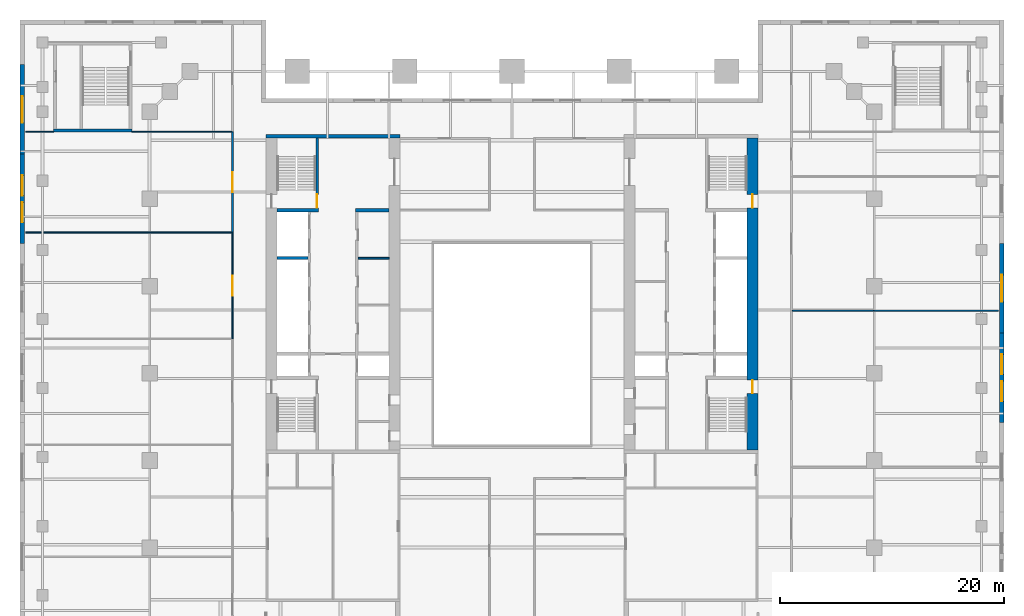
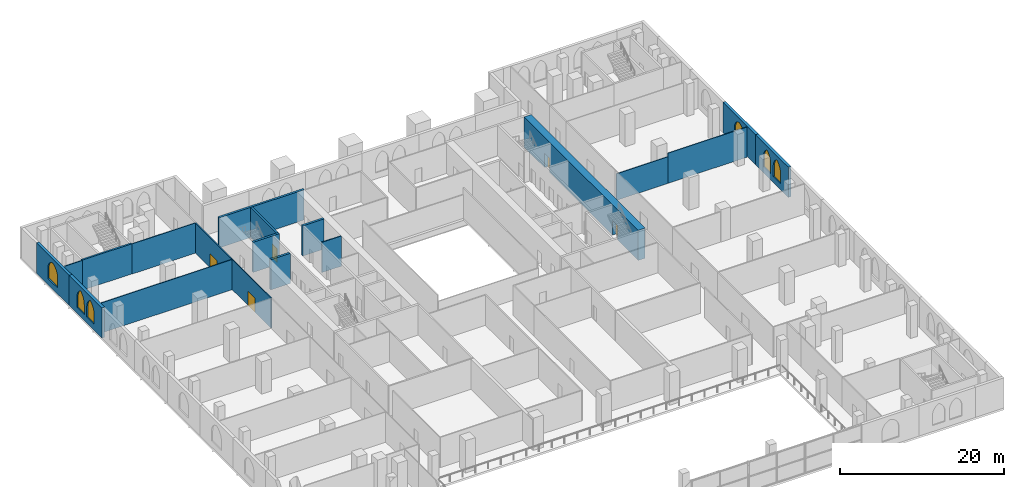
# One storey, part 14 of 19: 19 walls, 6 windows, 5 doors, 11 openings.
"""IFC4 building model written with IfcOpenShell, lengths in metres."""

from ifc_helpers import new_model, si_unit, direction, frame, frame_2d, origin, place, context, subcontext, project, spatial, polyline, rectangle, outline, extrude, material, layer, layer_set, type_object, element, fill, save


model = new_model("IFC4")

# Units and contexts
model_context = context("Model", 3, precision=1e-05, world=origin(), true_north=direction((0.0, 1.0)))
body_context = subcontext(model_context, "Body", "Model", "MODEL_VIEW")
ifc_project = project(units=[si_unit("LENGTHUNIT", "METRE"), si_unit("AREAUNIT", "SQUARE_METRE"), si_unit("VOLUMEUNIT", "CUBIC_METRE"), si_unit("PLANEANGLEUNIT", "RADIAN"), si_unit("MASSUNIT", "GRAM", prefix="KILO")], contexts=[model_context])

# Site, building, storey
site_placement = place(None, origin())
site = spatial("IfcSite", under=ifc_project, at=site_placement, CompositionType="ELEMENT")
building_placement = place(site_placement, origin())
building = spatial("IfcBuilding", under=site, at=building_placement, Name="Ogive Exchange Tower", CompositionType="ELEMENT")
storey_placement = place(building_placement, frame((0.0, 0.0, 19.199951171875)))
storey = spatial("IfcBuildingStorey", under=building, at=storey_placement, Name="L03", CompositionType="ELEMENT", Elevation=19.199951171875)

# Walls
ifc_material_1 = material(Name="Gypsum board partition")
ifc_layer_1 = layer(ifc_material_1, 0.14990234375)
ifc_layer_set_1 = layer_set([ifc_layer_1], Name="Core room partition 150 gypsum")
wall_type_1 = type_object("IfcWallType", Name="Core room partition 150 gypsum", PredefinedType="PARTITIONING", material=ifc_layer_set_1)
wall_1_placement = place(storey_placement, frame((-13.75, 14.699951171875, 0.0), z_axis=(0.0, 0.0, 1.0), x_axis=(1.0, 0.0, 0.0)))
element("IfcWall", 1, at=wall_1_placement, inside=storey, type_object=wall_type_1, Name="W row B bay partition 1-2", PredefinedType="PARTITIONING", context=body_context, shape_type="SweptSolid", body=[
    extrude(rectangle(XDim=2.75, YDim=0.14990234375, at=frame_2d((1.375, 0.0))), origin(), (0.0, 0.0, 1.0), 4.5),
])
ifc_layer_2 = layer(ifc_material_1, 0.300048828125)
ifc_layer_set_2 = layer_set([ifc_layer_2], Name="Core room partition 300 gypsum")
wall_type_2 = type_object("IfcWallType", Name="Core room partition 300 gypsum", PredefinedType="PARTITIONING", material=ifc_layer_set_2)
wall_2_placement = place(storey_placement, frame((-14.0, 19.0, 0.0), z_axis=(0.0, 0.0, 1.0), x_axis=(1.0, 0.0, 0.0)))
element("IfcWall", 2, at=wall_2_placement, inside=storey, type_object=wall_type_2, Name="W row B room end wall 7", PredefinedType="PARTITIONING", context=body_context, shape_type="SweptSolid", body=[
    extrude(rectangle(XDim=3.0, YDim=0.300048828125, at=frame_2d((1.5, 0.0))), origin(), (0.0, 0.0, 1.0), 4.5),
])

# Wall, opening, door
ifc_material_2 = material(Name="Fire partition EI 60 150")
ifc_layer_3 = layer(ifc_material_2, 0.14990234375)
ifc_layer_set_3 = layer_set([ifc_layer_3], Name="Fire partition EI 60 150")
wall_type_3 = type_object("IfcWallType", Name="Fire partition EI 60 150", PredefinedType="PARTITIONING", material=ifc_layer_set_3)
wall_3_placement = place(storey_placement, frame((-25.0, 17.0, 0.0), z_axis=(0.0, 0.0, 1.0), x_axis=(0.0, 1.0, 0.0)))
wall_3 = element("IfcWall", 3, at=wall_3_placement, inside=storey, type_object=wall_type_3, Name="L03-PWL-048", PredefinedType="PARTITIONING", context=body_context, shape_type="SweptSolid", body=[
    extrude(rectangle(XDim=9.0, YDim=0.14990234375, at=frame_2d((4.5, 0.0))), origin(), (0.0, 0.0, 1.0), 4.5),
])
opening_1_placement = place(wall_3_placement, frame((3.60009765625, 0.0, 0.0)))
opening_1 = element("IfcOpeningElement", 4, at=opening_1_placement, cuts=wall_3, Name="Opening L03-I08", PredefinedType="OPENING", context=body_context, shape_type="SweptSolid", body=[
    extrude(rectangle(XDim=1.800048828125, YDim=2.10009765625, at=frame_2d((0.89990234375, 1.050048828125))), frame((0.0, 0.0849609375, 0.0), z_axis=(0.0, -1.0, 0.0), x_axis=(1.0, 0.0, 0.0)), (0.0, 0.0, 1.0), 0.169921875),
])
ifc_material_3 = material(Name="Fire door FD 30S 1800 x 2100")
door_type_1 = type_object("IfcDoorType", Name="Fire door FD 30S 1800 x 2100", OperationType="DOUBLE_DOOR_SINGLE_SWING", PredefinedType="DOOR", material=ifc_material_3)
door_1_placement = place(opening_1_placement, origin())
door_1 = element("IfcDoor", 5, at=door_1_placement, inside=storey, type_object=door_type_1, Name="L03-IDR-008", ObjectType="DT4", OperationType="SINGLE_SWING_LEFT", OverallHeight=2.10009765625, OverallWidth=1.800048828125, PredefinedType="DOOR", context=body_context, shape_type="SweptSolid", body=[
    extrude(rectangle(XDim=1.800048828125, YDim=2.10009765625, at=frame_2d((0.89990234375, 1.050048828125))), frame((0.0, 0.02490234375, 0.0), z_axis=(0.0, -1.0, 0.0), x_axis=(1.0, 0.0, 0.0)), (0.0, 0.0, 1.0), 0.050048828125),
])
fill(opening_1, door_1)

ifc_material_4 = material(Name="Glazed fire partition EI 60 120")
ifc_layer_4 = layer(ifc_material_4, 0.1201171875)
ifc_layer_set_4 = layer_set([ifc_layer_4], Name="Glazed fire partition EI 60 120")
wall_type_4 = type_object("IfcWallType", Name="Glazed fire partition EI 60 120", PredefinedType="PARTITIONING", material=ifc_layer_set_4)
wall_4_placement = place(storey_placement, frame((-25.0, 7.5, 0.0), z_axis=(0.0, 0.0, 1.0), x_axis=(0.0, 1.0, 0.0)))
wall_4 = element("IfcWall", 6, at=wall_4_placement, inside=storey, type_object=wall_type_4, Name="L03-PWL-047", PredefinedType="PARTITIONING", context=body_context, shape_type="SweptSolid", body=[
    extrude(rectangle(XDim=9.5, YDim=0.1201171875, at=frame_2d((4.75, 0.0))), origin(), (0.0, 0.0, 1.0), 4.5),
])
opening_2_placement = place(wall_4_placement, frame((3.85009765625, 0.0, 0.0)))
opening_2 = element("IfcOpeningElement", 7, at=opening_2_placement, cuts=wall_4, Name="Opening L03-I07", PredefinedType="OPENING", context=body_context, shape_type="SweptSolid", body=[
    extrude(rectangle(XDim=1.800048828125, YDim=2.10009765625, at=frame_2d((0.89990234375, 1.050048828125))), frame((0.0, 0.070068359375, 0.0), z_axis=(0.0, -1.0, 0.0), x_axis=(1.0, 0.0, 0.0)), (0.0, 0.0, 1.0), 0.14013671875),
])
door_2_placement = place(opening_2_placement, origin())
door_2 = element("IfcDoor", 8, at=door_2_placement, inside=storey, type_object=door_type_1, Name="L03-IDR-007", ObjectType="DT4", OperationType="SINGLE_SWING_RIGHT", OverallHeight=2.10009765625, OverallWidth=1.800048828125, PredefinedType="DOOR", context=body_context, shape_type="SweptSolid", body=[
    extrude(rectangle(XDim=1.800048828125, YDim=2.10009765625, at=frame_2d((0.89990234375, 1.050048828125))), frame((0.0, 0.02490234375, 0.0), z_axis=(0.0, -1.0, 0.0), x_axis=(1.0, 0.0, 0.0)), (0.0, 0.0, 1.0), 0.050048828125),
])
fill(opening_2, door_2)

# Wall, openings, windows
ifc_material_5 = material(Name="Precast concrete C40/50", Category="concrete")
ifc_layer_5 = layer(ifc_material_5, 0.39990234375)
ifc_layer_set_5 = layer_set([ifc_layer_5], Name="Limestone-faced wall 400")
wall_type_5 = type_object("IfcWallType", Name="Limestone-faced wall 400", PredefinedType="STANDARD", material=ifc_layer_set_5)
wall_5_placement = place(storey_placement, frame((43.800048828125, 0.0, 0.0), z_axis=(0.0, 0.0, 1.0), x_axis=(0.0, 1.0, 0.0)))
wall_5 = element("IfcWall", 9, at=wall_5_placement, inside=storey, type_object=wall_type_5, Name="Podium wall E8", PredefinedType="STANDARD", context=body_context, shape_type="SweptSolid", body=[
    extrude(rectangle(XDim=8.0, YDim=0.39990234375, at=frame_2d((4.0, 0.0))), origin(), (0.0, 0.0, 1.0), 4.5),
])
opening_3_placement = place(wall_5_placement, frame((1.89990234375, 0.0, 0.89990234375)))
opening_3 = element("IfcOpeningElement", 10, at=opening_3_placement, cuts=wall_5, Name="Opening WQ300", PredefinedType="OPENING", context=body_context, shape_type="SweptSolid", body=[
    extrude(outline(polyline([(0.0, 0.0), (1.800048828125, 0.0), (1.800048828125, 1.5), (1.78466796875, 1.72900390625), (1.73828125, 1.953857421875), (1.662353515625, 2.17041015625), (1.557861328125, 2.374755859375), (1.4267578125, 2.56298828125), (1.271484375, 2.73193359375), (1.0947265625, 2.878662109375), (0.89990234375, 3.0), (0.705322265625, 2.878662109375), (0.528564453125, 2.73193359375), (0.373291015625, 2.56298828125), (0.2421875, 2.374755859375), (0.1376953125, 2.17041015625), (0.061767578125, 1.953857421875), (0.015380859375, 1.72900390625), (0.0, 1.5), (0.0, 0.0)])), frame((0.0, 0.2099609375, 0.0), z_axis=(0.0, -1.0, 0.0), x_axis=(1.0, 0.0, 0.0)), (0.0, 0.0, 1.0), 0.419921875),
])
opening_4_placement = place(wall_5_placement, frame((4.300048828125, 0.0, 0.89990234375)))
opening_4 = element("IfcOpeningElement", 11, at=opening_4_placement, cuts=wall_5, Name="Opening WQ300", PredefinedType="OPENING", context=body_context, shape_type="SweptSolid", body=[
    extrude(outline(polyline([(0.0, 0.0), (1.800048828125, 0.0), (1.800048828125, 1.5), (1.78466796875, 1.72900390625), (1.73828125, 1.953857421875), (1.662353515625, 2.17041015625), (1.557861328125, 2.374755859375), (1.4267578125, 2.56298828125), (1.271484375, 2.73193359375), (1.0947265625, 2.878662109375), (0.89990234375, 3.0), (0.705322265625, 2.878662109375), (0.528564453125, 2.73193359375), (0.373291015625, 2.56298828125), (0.2421875, 2.374755859375), (0.1376953125, 2.17041015625), (0.061767578125, 1.953857421875), (0.015380859375, 1.72900390625), (0.0, 1.5), (0.0, 0.0)])), frame((0.0, 0.2099609375, 0.0), z_axis=(0.0, -1.0, 0.0), x_axis=(1.0, 0.0, 0.0)), (0.0, 0.0, 1.0), 0.419921875),
])
ifc_material_6 = material(Name="Clear glass in bronze frame", Category="glass")
window_type_1 = type_object("IfcWindowType", Name="Podium paired lancet 1800 x 3000", PartitioningType="DOUBLE_PANEL_VERTICAL", PredefinedType="WINDOW", material=ifc_material_6)
window_1_placement = place(opening_3_placement, origin())
window_1 = element("IfcWindow", 12, at=window_1_placement, inside=storey, type_object=window_type_1, Name="Podium paired lancet E8.1", OverallHeight=3.0, OverallWidth=1.800048828125, PartitioningType="DOUBLE_PANEL_VERTICAL", PredefinedType="WINDOW", context=body_context, shape_type="SweptSolid", body=[
    extrude(outline(polyline([(0.0, 0.0), (1.800048828125, 0.0), (1.800048828125, 1.5), (1.78466796875, 1.72900390625), (1.73828125, 1.953857421875), (1.662353515625, 2.17041015625), (1.557861328125, 2.374755859375), (1.4267578125, 2.56298828125), (1.271484375, 2.73193359375), (1.0947265625, 2.878662109375), (0.89990234375, 3.0), (0.705322265625, 2.878662109375), (0.528564453125, 2.73193359375), (0.373291015625, 2.56298828125), (0.2421875, 2.374755859375), (0.1376953125, 2.17041015625), (0.061767578125, 1.953857421875), (0.015380859375, 1.72900390625), (0.0, 1.5), (0.0, 0.0)])), frame((0.0, 0.030029296875, 0.0), z_axis=(0.0, -1.0, 0.0), x_axis=(1.0, 0.0, 0.0)), (0.0, 0.0, 1.0), 0.06005859375),
])
fill(opening_3, window_1)
window_2_placement = place(opening_4_placement, origin())
window_2 = element("IfcWindow", 13, at=window_2_placement, inside=storey, type_object=window_type_1, Name="Podium paired lancet E8.2", OverallHeight=3.0, OverallWidth=1.800048828125, PartitioningType="DOUBLE_PANEL_VERTICAL", PredefinedType="WINDOW", context=body_context, shape_type="SweptSolid", body=[
    extrude(outline(polyline([(0.0, 0.0), (1.800048828125, 0.0), (1.800048828125, 1.5), (1.78466796875, 1.72900390625), (1.73828125, 1.953857421875), (1.662353515625, 2.17041015625), (1.557861328125, 2.374755859375), (1.4267578125, 2.56298828125), (1.271484375, 2.73193359375), (1.0947265625, 2.878662109375), (0.89990234375, 3.0), (0.705322265625, 2.878662109375), (0.528564453125, 2.73193359375), (0.373291015625, 2.56298828125), (0.2421875, 2.374755859375), (0.1376953125, 2.17041015625), (0.061767578125, 1.953857421875), (0.015380859375, 1.72900390625), (0.0, 1.5), (0.0, 0.0)])), frame((0.0, 0.030029296875, 0.0), z_axis=(0.0, -1.0, 0.0), x_axis=(1.0, 0.0, 0.0)), (0.0, 0.0, 1.0), 0.06005859375),
])
fill(opening_4, window_2)

# Wall, opening, window
wall_6_placement = place(storey_placement, frame((43.800048828125, 8.0, 0.0), z_axis=(0.0, 0.0, 1.0), x_axis=(0.0, 1.0, 0.0)))
wall_6 = element("IfcWall", 14, at=wall_6_placement, inside=storey, type_object=wall_type_5, Name="Podium wall E9", PredefinedType="STANDARD", context=body_context, shape_type="SweptSolid", body=[
    extrude(rectangle(XDim=8.0, YDim=0.39990234375, at=frame_2d((4.0, 0.0))), origin(), (0.0, 0.0, 1.0), 4.5),
])
opening_5_placement = place(wall_6_placement, frame((2.800048828125, 0.0, 0.89990234375)))
opening_5 = element("IfcOpeningElement", 15, at=opening_5_placement, cuts=wall_6, Name="Opening WP300", PredefinedType="OPENING", context=body_context, shape_type="SweptSolid", body=[
    extrude(outline(polyline([(0.0, 0.0), (2.39990234375, 0.0), (2.39990234375, 1.5), (2.378173828125, 1.758056640625), (2.313232421875, 2.009033203125), (2.207275390625, 2.245361328125), (2.06298828125, 2.46044921875), (1.884765625, 2.6484375), (1.677490234375, 2.8037109375), (1.447021484375, 2.922119140625), (1.199951171875, 3.0), (0.952880859375, 2.922119140625), (0.722412109375, 2.8037109375), (0.51513671875, 2.6484375), (0.3369140625, 2.46044921875), (0.192626953125, 2.245361328125), (0.086669921875, 2.009033203125), (0.021728515625, 1.758056640625), (0.0, 1.5), (0.0, 0.0)])), frame((0.0, 0.2099609375, 0.0), z_axis=(0.0, -1.0, 0.0), x_axis=(1.0, 0.0, 0.0)), (0.0, 0.0, 1.0), 0.419921875),
])
window_type_2 = type_object("IfcWindowType", Name="Podium lancet window 2400 x 3000", PartitioningType="DOUBLE_PANEL_VERTICAL", PredefinedType="WINDOW", material=ifc_material_6)
window_3_placement = place(opening_5_placement, origin())
window_3 = element("IfcWindow", 16, at=window_3_placement, inside=storey, type_object=window_type_2, Name="Podium window E9", OverallHeight=3.0, OverallWidth=2.39990234375, PartitioningType="DOUBLE_PANEL_VERTICAL", PredefinedType="WINDOW", context=body_context, shape_type="SweptSolid", body=[
    extrude(outline(polyline([(0.0, 0.0), (2.39990234375, 0.0), (2.39990234375, 1.5), (2.378173828125, 1.758056640625), (2.313232421875, 2.009033203125), (2.207275390625, 2.245361328125), (2.06298828125, 2.46044921875), (1.884765625, 2.6484375), (1.677490234375, 2.8037109375), (1.447021484375, 2.922119140625), (1.199951171875, 3.0), (0.952880859375, 2.922119140625), (0.722412109375, 2.8037109375), (0.51513671875, 2.6484375), (0.3369140625, 2.46044921875), (0.192626953125, 2.245361328125), (0.086669921875, 2.009033203125), (0.021728515625, 1.758056640625), (0.0, 1.5), (0.0, 0.0)])), frame((0.0, 0.030029296875, 0.0), z_axis=(0.0, -1.0, 0.0), x_axis=(1.0, 0.0, 0.0)), (0.0, 0.0, 1.0), 0.06005859375),
])
fill(opening_5, window_3)

wall_7_placement = place(storey_placement, frame((-43.800048828125, 32.0, 0.0), z_axis=(0.0, 0.0, 1.0), x_axis=(0.0, -1.0, 0.0)))
wall_7 = element("IfcWall", 17, at=wall_7_placement, inside=storey, type_object=wall_type_5, Name="Podium wall W2", PredefinedType="STANDARD", context=body_context, shape_type="SweptSolid", body=[
    extrude(rectangle(XDim=8.0, YDim=0.39990234375, at=frame_2d((4.0, 0.0))), origin(), (0.0, 0.0, 1.0), 4.5),
])
opening_6_placement = place(wall_7_placement, frame((2.800048828125, 0.0, 0.89990234375)))
opening_6 = element("IfcOpeningElement", 18, at=opening_6_placement, cuts=wall_7, Name="Opening WP300", PredefinedType="OPENING", context=body_context, shape_type="SweptSolid", body=[
    extrude(outline(polyline([(0.0, 0.0), (2.39990234375, 0.0), (2.39990234375, 1.5), (2.378173828125, 1.758056640625), (2.313232421875, 2.009033203125), (2.207275390625, 2.245361328125), (2.06298828125, 2.46044921875), (1.884765625, 2.6484375), (1.677490234375, 2.8037109375), (1.447021484375, 2.922119140625), (1.199951171875, 3.0), (0.952880859375, 2.922119140625), (0.722412109375, 2.8037109375), (0.51513671875, 2.6484375), (0.3369140625, 2.46044921875), (0.192626953125, 2.245361328125), (0.086669921875, 2.009033203125), (0.021728515625, 1.758056640625), (0.0, 1.5), (0.0, 0.0)])), frame((0.0, 0.2099609375, 0.0), z_axis=(0.0, -1.0, 0.0), x_axis=(1.0, 0.0, 0.0)), (0.0, 0.0, 1.0), 0.419921875),
])
window_4_placement = place(opening_6_placement, origin())
window_4 = element("IfcWindow", 19, at=window_4_placement, inside=storey, type_object=window_type_2, Name="Podium window W2", OverallHeight=3.0, OverallWidth=2.39990234375, PartitioningType="DOUBLE_PANEL_VERTICAL", PredefinedType="WINDOW", context=body_context, shape_type="SweptSolid", body=[
    extrude(outline(polyline([(0.0, 0.0), (2.39990234375, 0.0), (2.39990234375, 1.5), (2.378173828125, 1.758056640625), (2.313232421875, 2.009033203125), (2.207275390625, 2.245361328125), (2.06298828125, 2.46044921875), (1.884765625, 2.6484375), (1.677490234375, 2.8037109375), (1.447021484375, 2.922119140625), (1.199951171875, 3.0), (0.952880859375, 2.922119140625), (0.722412109375, 2.8037109375), (0.51513671875, 2.6484375), (0.3369140625, 2.46044921875), (0.192626953125, 2.245361328125), (0.086669921875, 2.009033203125), (0.021728515625, 1.758056640625), (0.0, 1.5), (0.0, 0.0)])), frame((0.0, 0.030029296875, 0.0), z_axis=(0.0, -1.0, 0.0), x_axis=(1.0, 0.0, 0.0)), (0.0, 0.0, 1.0), 0.06005859375),
])
fill(opening_6, window_4)

# Wall, openings, windows
wall_8_placement = place(storey_placement, frame((-43.800048828125, 24.0, 0.0), z_axis=(0.0, 0.0, 1.0), x_axis=(0.0, -1.0, 0.0)))
wall_8 = element("IfcWall", 20, at=wall_8_placement, inside=storey, type_object=wall_type_5, Name="Podium wall W3", PredefinedType="STANDARD", context=body_context, shape_type="SweptSolid", body=[
    extrude(rectangle(XDim=8.0, YDim=0.39990234375, at=frame_2d((4.0, 0.0))), origin(), (0.0, 0.0, 1.0), 4.5),
])
opening_7_placement = place(wall_8_placement, frame((1.89990234375, 0.0, 0.89990234375)))
opening_7 = element("IfcOpeningElement", 21, at=opening_7_placement, cuts=wall_8, Name="Opening WQ300", PredefinedType="OPENING", context=body_context, shape_type="SweptSolid", body=[
    extrude(outline(polyline([(0.0, 0.0), (1.800048828125, 0.0), (1.800048828125, 1.5), (1.78466796875, 1.72900390625), (1.73828125, 1.953857421875), (1.662353515625, 2.17041015625), (1.557861328125, 2.374755859375), (1.4267578125, 2.56298828125), (1.271484375, 2.73193359375), (1.0947265625, 2.878662109375), (0.89990234375, 3.0), (0.705322265625, 2.878662109375), (0.528564453125, 2.73193359375), (0.373291015625, 2.56298828125), (0.2421875, 2.374755859375), (0.1376953125, 2.17041015625), (0.061767578125, 1.953857421875), (0.015380859375, 1.72900390625), (0.0, 1.5), (0.0, 0.0)])), frame((0.0, 0.2099609375, 0.0), z_axis=(0.0, -1.0, 0.0), x_axis=(1.0, 0.0, 0.0)), (0.0, 0.0, 1.0), 0.419921875),
])
opening_8_placement = place(wall_8_placement, frame((4.300048828125, 0.0, 0.89990234375)))
opening_8 = element("IfcOpeningElement", 22, at=opening_8_placement, cuts=wall_8, Name="Opening WQ300", PredefinedType="OPENING", context=body_context, shape_type="SweptSolid", body=[
    extrude(outline(polyline([(0.0, 0.0), (1.800048828125, 0.0), (1.800048828125, 1.5), (1.78466796875, 1.72900390625), (1.73828125, 1.953857421875), (1.662353515625, 2.17041015625), (1.557861328125, 2.374755859375), (1.4267578125, 2.56298828125), (1.271484375, 2.73193359375), (1.0947265625, 2.878662109375), (0.89990234375, 3.0), (0.705322265625, 2.878662109375), (0.528564453125, 2.73193359375), (0.373291015625, 2.56298828125), (0.2421875, 2.374755859375), (0.1376953125, 2.17041015625), (0.061767578125, 1.953857421875), (0.015380859375, 1.72900390625), (0.0, 1.5), (0.0, 0.0)])), frame((0.0, 0.2099609375, 0.0), z_axis=(0.0, -1.0, 0.0), x_axis=(1.0, 0.0, 0.0)), (0.0, 0.0, 1.0), 0.419921875),
])
window_5_placement = place(opening_7_placement, origin())
window_5 = element("IfcWindow", 23, at=window_5_placement, inside=storey, type_object=window_type_1, Name="Podium paired lancet W3.1", OverallHeight=3.0, OverallWidth=1.800048828125, PartitioningType="DOUBLE_PANEL_VERTICAL", PredefinedType="WINDOW", context=body_context, shape_type="SweptSolid", body=[
    extrude(outline(polyline([(0.0, 0.0), (1.800048828125, 0.0), (1.800048828125, 1.5), (1.78466796875, 1.72900390625), (1.73828125, 1.953857421875), (1.662353515625, 2.17041015625), (1.557861328125, 2.374755859375), (1.4267578125, 2.56298828125), (1.271484375, 2.73193359375), (1.0947265625, 2.878662109375), (0.89990234375, 3.0), (0.705322265625, 2.878662109375), (0.528564453125, 2.73193359375), (0.373291015625, 2.56298828125), (0.2421875, 2.374755859375), (0.1376953125, 2.17041015625), (0.061767578125, 1.953857421875), (0.015380859375, 1.72900390625), (0.0, 1.5), (0.0, 0.0)])), frame((0.0, 0.030029296875, 0.0), z_axis=(0.0, -1.0, 0.0), x_axis=(1.0, 0.0, 0.0)), (0.0, 0.0, 1.0), 0.06005859375),
])
fill(opening_7, window_5)
window_6_placement = place(opening_8_placement, origin())
window_6 = element("IfcWindow", 24, at=window_6_placement, inside=storey, type_object=window_type_1, Name="Podium paired lancet W3.2", OverallHeight=3.0, OverallWidth=1.800048828125, PartitioningType="DOUBLE_PANEL_VERTICAL", PredefinedType="WINDOW", context=body_context, shape_type="SweptSolid", body=[
    extrude(outline(polyline([(0.0, 0.0), (1.800048828125, 0.0), (1.800048828125, 1.5), (1.78466796875, 1.72900390625), (1.73828125, 1.953857421875), (1.662353515625, 2.17041015625), (1.557861328125, 2.374755859375), (1.4267578125, 2.56298828125), (1.271484375, 2.73193359375), (1.0947265625, 2.878662109375), (0.89990234375, 3.0), (0.705322265625, 2.878662109375), (0.528564453125, 2.73193359375), (0.373291015625, 2.56298828125), (0.2421875, 2.374755859375), (0.1376953125, 2.17041015625), (0.061767578125, 1.953857421875), (0.015380859375, 1.72900390625), (0.0, 1.5), (0.0, 0.0)])), frame((0.0, 0.030029296875, 0.0), z_axis=(0.0, -1.0, 0.0), x_axis=(1.0, 0.0, 0.0)), (0.0, 0.0, 1.0), 0.06005859375),
])
fill(opening_8, window_6)

# Walls
ifc_material_7 = material(Name="Partition 100 gypsum")
ifc_layer_6 = layer(ifc_material_7, 0.10009765625)
ifc_layer_set_6 = layer_set([ifc_layer_6], Name="Partition 100 gypsum")
wall_type_6 = type_object("IfcWallType", Name="Partition 100 gypsum", PredefinedType="PARTITIONING", material=ifc_layer_set_6)
wall_9_placement = place(storey_placement, frame((25.074951171875, 10.0, 0.0), z_axis=(0.0, 0.0, 1.0), x_axis=(1.0, 0.0, 0.0)))
element("IfcWall", 25, at=wall_9_placement, inside=storey, type_object=wall_type_6, Name="L03-PWL-027", PredefinedType="PARTITIONING", context=body_context, shape_type="SweptSolid", body=[
    extrude(rectangle(XDim=7.27001953125, YDim=0.10009765625, at=frame_2d((3.635009765625, 0.0))), origin(), (0.0, 0.0, 1.0), 3.964111328125),
])
wall_10_placement = place(storey_placement, frame((-43.5, 17.0, 0.0), z_axis=(0.0, 0.0, 1.0), x_axis=(1.0, 0.0, 0.0)))
element("IfcWall", 26, at=wall_10_placement, inside=storey, type_object=wall_type_6, Name="L03-PWL-028", PredefinedType="PARTITIONING", context=body_context, shape_type="SweptSolid", body=[
    extrude(rectangle(XDim=18.425048828125, YDim=0.10009765625, at=frame_2d((9.21240234375, 0.0))), origin(), (0.0, 0.0, 1.0), 4.5),
])
wall_11_placement = place(storey_placement, frame((-43.5, 26.0, 0.0), z_axis=(0.0, 0.0, 1.0), x_axis=(1.0, 0.0, 0.0)))
element("IfcWall", 27, at=wall_11_placement, inside=storey, type_object=wall_type_6, Name="L03-PWL-035", PredefinedType="PARTITIONING", context=body_context, shape_type="SweptSolid", body=[
    extrude(rectangle(XDim=2.5, YDim=0.10009765625, at=frame_2d((1.25, 0.0))), origin(), (0.0, 0.0, 1.0), 4.5),
])
wall_12_placement = place(storey_placement, frame((-34.0, 26.0, 0.0), z_axis=(0.0, 0.0, 1.0), x_axis=(1.0, 0.0, 0.0)))
element("IfcWall", 28, at=wall_12_placement, inside=storey, type_object=wall_type_6, Name="L03-PWL-036", PredefinedType="PARTITIONING", context=body_context, shape_type="SweptSolid", body=[
    extrude(rectangle(XDim=8.925048828125, YDim=0.10009765625, at=frame_2d((4.46240234375, 0.0))), origin(), (0.0, 0.0, 1.0), 4.5),
])
wall_13_placement = place(storey_placement, frame((32.344970703125, 10.0, 0.0), z_axis=(0.0, 0.0, 1.0), x_axis=(1.0, 0.0, 0.0)))
element("IfcWall", 29, at=wall_13_placement, inside=storey, type_object=wall_type_6, Name="L03-PWL-027", PredefinedType="PARTITIONING", context=body_context, shape_type="SweptSolid", body=[
    extrude(rectangle(XDim=11.155029296875, YDim=0.10009765625, at=frame_2d((5.57763671875, 0.0))), origin(), (0.0, 0.0, 1.0), 4.5),
])

# Wall, openings, doors
ifc_material_8 = material(Name="Concrete C70/85", Category="concrete")
ifc_layer_7 = layer(ifc_material_8, 1.0)
ifc_layer_set_7 = layer_set([ifc_layer_7], Name="RC core wall 1000 C70/85")
wall_type_7 = type_object("IfcWallType", Name="RC core wall 1000 C70/85", PredefinedType="SHEAR", material=ifc_layer_set_7)
wall_14_placement = place(storey_placement, frame((21.5, -2.449951171875, 0.0), z_axis=(0.0, 0.0, 1.0), x_axis=(0.0, 1.0, 0.0)))
wall_14 = element("IfcWall", 30, at=wall_14_placement, inside=storey, type_object=wall_type_7, Name="E outer wall", PredefinedType="SHEAR", context=body_context, shape_type="SweptSolid", body=[
    extrude(rectangle(XDim=27.89990234375, YDim=1.0, at=frame_2d((13.949951171875, 0.0))), origin(), (0.0, 0.0, 1.0), 4.5),
])
opening_9_placement = place(wall_14_placement, frame((5.050048828125, 0.0, 0.0)))
opening_9 = element("IfcOpeningElement", 31, at=opening_9_placement, cuts=wall_14, Name="Opening L03-C37", PredefinedType="OPENING", context=body_context, shape_type="SweptSolid", body=[
    extrude(rectangle(XDim=1.199951171875, YDim=2.10009765625, at=frame_2d((0.60009765625, 1.050048828125))), frame((0.0, 0.510009765625, 0.0), z_axis=(0.0, -1.0, 0.0), x_axis=(1.0, 0.0, 0.0)), (0.0, 0.0, 1.0), 1.02001953125),
])
opening_10_placement = place(wall_14_placement, frame((21.64990234375, 0.0, 0.0)))
opening_10 = element("IfcOpeningElement", 32, at=opening_10_placement, cuts=wall_14, Name="Opening L03-C39", PredefinedType="OPENING", context=body_context, shape_type="SweptSolid", body=[
    extrude(rectangle(XDim=1.199951171875, YDim=2.10009765625, at=frame_2d((0.60009765625, 1.050048828125))), frame((0.0, 0.510009765625, 0.0), z_axis=(0.0, -1.0, 0.0), x_axis=(1.0, 0.0, 0.0)), (0.0, 0.0, 1.0), 1.02001953125),
])
ifc_material_9 = material(Name="Steel fire door", Category="steel")
door_type_2 = type_object("IfcDoorType", Name="Stair door FD90 1200 x 2100", OperationType="NOTDEFINED", PredefinedType="DOOR", material=ifc_material_9)
door_3_placement = place(opening_9_placement, origin())
door_3 = element("IfcDoor", 33, at=door_3_placement, inside=storey, type_object=door_type_2, Name="Stair door", ObjectType="CD5", OperationType="SINGLE_SWING_LEFT", OverallHeight=2.10009765625, OverallWidth=1.199951171875, PredefinedType="DOOR", context=body_context, shape_type="SweptSolid", body=[
    extrude(rectangle(XDim=1.199951171875, YDim=2.10009765625, at=frame_2d((0.60009765625, 1.050048828125))), frame((0.0, 0.02490234375, 0.0), z_axis=(0.0, -1.0, 0.0), x_axis=(1.0, 0.0, 0.0)), (0.0, 0.0, 1.0), 0.050048828125),
])
fill(opening_9, door_3)
door_4_placement = place(opening_10_placement, origin())
door_4 = element("IfcDoor", 34, at=door_4_placement, inside=storey, type_object=door_type_2, Name="Stair door", ObjectType="CD5", OperationType="SINGLE_SWING_RIGHT", OverallHeight=2.10009765625, OverallWidth=1.199951171875, PredefinedType="DOOR", context=body_context, shape_type="SweptSolid", body=[
    extrude(rectangle(XDim=1.199951171875, YDim=2.10009765625, at=frame_2d((0.60009765625, 1.050048828125))), frame((0.0, 0.02490234375, 0.0), z_axis=(0.0, -1.0, 0.0), x_axis=(1.0, 0.0, 0.0)), (0.0, 0.0, 1.0), 0.050048828125),
])
fill(opening_10, door_4)

# Wall, opening, door
ifc_layer_8 = layer(ifc_material_8, 0.25)
ifc_layer_set_8 = layer_set([ifc_layer_8], Name="RC core wall 250 C70/85")
wall_type_8 = type_object("IfcWallType", Name="RC core wall 250 C70/85", PredefinedType="SHEAR", material=ifc_layer_set_8)
wall_15_placement = place(storey_placement, frame((-17.425048828125, 19.14990234375, 0.0), z_axis=(0.0, 0.0, 1.0), x_axis=(0.0, 1.0, 0.0)))
wall_15 = element("IfcWall", 35, at=wall_15_placement, inside=storey, type_object=wall_type_8, Name="W stair N front wall", PredefinedType="SHEAR", context=body_context, shape_type="SweptSolid", body=[
    extrude(rectangle(XDim=6.300048828125, YDim=0.25, at=frame_2d((3.14990234375, 0.0))), origin(), (0.0, 0.0, 1.0), 4.5),
])
opening_11_placement = place(wall_15_placement, frame((0.050048828125, 0.0, 0.0)))
opening_11 = element("IfcOpeningElement", 36, at=opening_11_placement, cuts=wall_15, Name="Opening L03-C16", PredefinedType="OPENING", context=body_context, shape_type="SweptSolid", body=[
    extrude(rectangle(XDim=1.199951171875, YDim=2.10009765625, at=frame_2d((0.60009765625, 1.050048828125))), frame((0.0, 0.135009765625, 0.0), z_axis=(0.0, -1.0, 0.0), x_axis=(1.0, 0.0, 0.0)), (0.0, 0.0, 1.0), 0.27001953125),
])
door_5_placement = place(opening_11_placement, origin())
door_5 = element("IfcDoor", 37, at=door_5_placement, inside=storey, type_object=door_type_2, Name="Stair door", ObjectType="CD5", OperationType="SINGLE_SWING_RIGHT", OverallHeight=2.10009765625, OverallWidth=1.199951171875, PredefinedType="DOOR", context=body_context, shape_type="SweptSolid", body=[
    extrude(rectangle(XDim=1.199951171875, YDim=2.10009765625, at=frame_2d((0.60009765625, 1.050048828125))), frame((0.0, 0.02490234375, 0.0), z_axis=(0.0, -1.0, 0.0), x_axis=(1.0, 0.0, 0.0)), (0.0, 0.0, 1.0), 0.050048828125),
])
fill(opening_11, door_5)

# Walls
wall_16_placement = place(storey_placement, frame((-41.0, 26.125, 0.0), z_axis=(0.0, 0.0, 1.0), x_axis=(1.0, 0.0, 0.0)))
element("IfcWall", 38, at=wall_16_placement, inside=storey, type_object=wall_type_8, Name="PS3 south wall", PredefinedType="SHEAR", context=body_context, shape_type="SweptSolid", body=[
    extrude(rectangle(XDim=7.0, YDim=0.25, at=frame_2d((3.5, 0.0))), origin(), (0.0, 0.0, 1.0), 4.5),
])
ifc_layer_9 = layer(ifc_material_8, 0.300048828125)
ifc_layer_set_9 = layer_set([ifc_layer_9], Name="RC core wall 300 C70/85")
wall_type_9 = type_object("IfcWallType", Name="RC core wall 300 C70/85", PredefinedType="SHEAR", material=ifc_layer_set_9)
wall_17_placement = place(storey_placement, frame((-22.0, 25.60009765625, 0.0), z_axis=(0.0, 0.0, 1.0), x_axis=(1.0, 0.0, 0.0)))
element("IfcWall", 39, at=wall_17_placement, inside=storey, type_object=wall_type_9, Name="W north end wall", PredefinedType="SHEAR", context=body_context, shape_type="SweptSolid", body=[
    extrude(rectangle(XDim=12.0, YDim=0.300048828125, at=frame_2d((6.0, 0.0))), origin(), (0.0, 0.0, 1.0), 4.5),
])
wall_18_placement = place(storey_placement, frame((-21.0, 19.0, 0.0), z_axis=(0.0, 0.0, 1.0), x_axis=(1.0, 0.0, 0.0)))
element("IfcWall", 40, at=wall_18_placement, inside=storey, type_object=wall_type_9, Name="W stair N south wall", PredefinedType="SHEAR", context=body_context, shape_type="SweptSolid", body=[
    extrude(rectangle(XDim=3.699951171875, YDim=0.300048828125, at=frame_2d((1.85009765625, 0.0))), origin(), (0.0, 0.0, 1.0), 4.5),
])
wall_19_placement = place(storey_placement, frame((-21.0, 14.71435546875, 0.0), z_axis=(0.0, 0.0, 1.0), x_axis=(1.0, 0.0, 0.0)))
element("IfcWall", 41, at=wall_19_placement, inside=storey, type_object=wall_type_9, Name="W row A divider 5", PredefinedType="SHEAR", context=body_context, shape_type="SweptSolid", body=[
    extrude(rectangle(XDim=2.75, YDim=0.300048828125, at=frame_2d((1.375, 0.0))), origin(), (0.0, 0.0, 1.0), 4.5),
])

save(model, "model.ifc")
